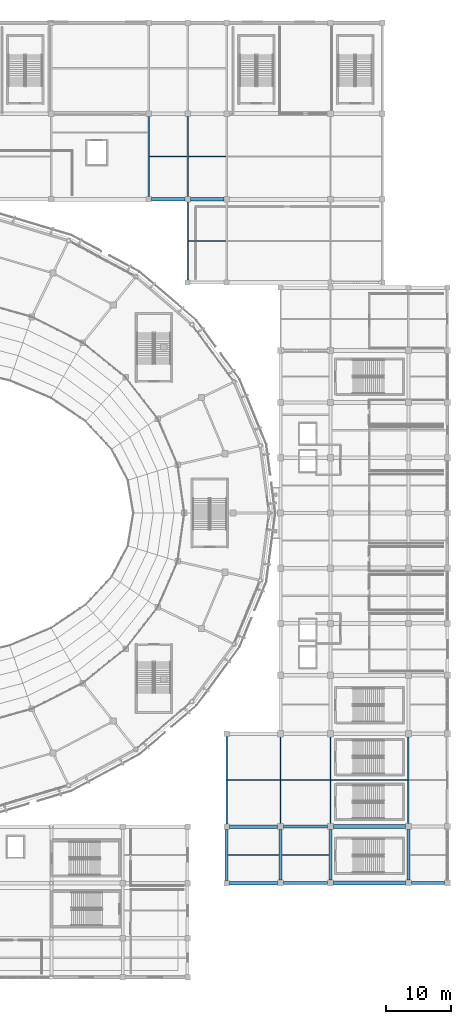
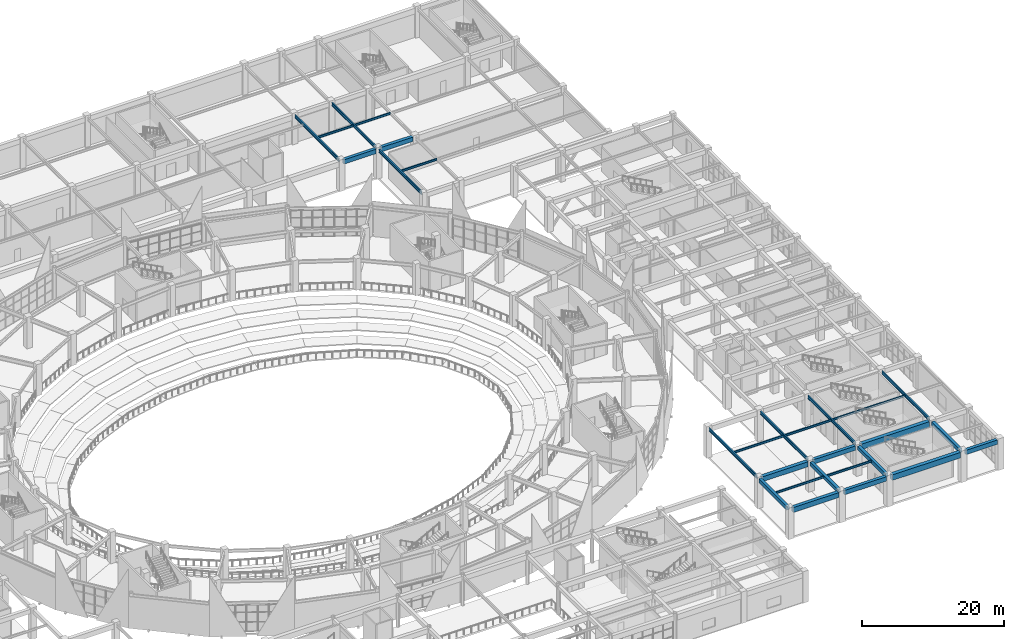
# One storey, part 46 of 120: 28 beams.
"""IFC4 building model written with IfcOpenShell, lengths in metres."""

from ifc_helpers import new_model, si_unit, direction, frame, origin, origin_2d, place, context, subcontext, project, spatial, rectangle, i_section, extrude, material, material_profile, profile_set, type_object, element, save


model = new_model("IFC4")

# Units and contexts
model_context = context("Model", 3, precision=1e-05, world=origin(), true_north=direction((0.0, 1.0)))
body_context = subcontext(model_context, "Body", "Model", "MODEL_VIEW")
ifc_project = project(units=[si_unit("LENGTHUNIT", "METRE"), si_unit("AREAUNIT", "SQUARE_METRE"), si_unit("VOLUMEUNIT", "CUBIC_METRE"), si_unit("PLANEANGLEUNIT", "RADIAN"), si_unit("MASSUNIT", "GRAM", prefix="KILO")], contexts=[model_context])

# Site, building, storey
site_placement = place(None, origin())
site = spatial("IfcSite", under=ifc_project, at=site_placement, CompositionType="ELEMENT")
building_placement = place(site_placement, origin())
building = spatial("IfcBuilding", under=site, at=building_placement, Name="Cuetzalor Civic Arena", CompositionType="ELEMENT")
storey_placement = place(building_placement, frame((0.0, 0.0, 6.0)))
storey = spatial("IfcBuildingStorey", under=building, at=storey_placement, Name="L01", CompositionType="ELEMENT", Elevation=6.0)

# Beams
ifc_material_1 = material(Name="Concrete C40/50", Category="concrete")
ifc_material_profile_1 = material_profile(ifc_material_1, rectangle(XDim=0.5, YDim=0.75, at=origin_2d()), Name="RC 500x750")
ifc_profile_set_1 = profile_set([ifc_material_profile_1], Name="Concrete C40/50")
beam_type_1 = type_object("IfcBeamType", Name="ConcreteFrameBeam_500x750", PredefinedType="BEAM", material=ifc_profile_set_1)
beam_1_placement = place(storey_placement, frame((56.764892578125, -57.0, 4.7451171875), z_axis=(1.0, 0.0, 0.0), x_axis=(0.0, 1.0, 0.0)))
element("IfcBeam", 1, at=beam_1_placement, inside=storey, type_object=beam_type_1, Name="Frame Girder V4E-L01-X0424", PredefinedType="BEAM", context=body_context, shape_type="SweptSolid", body=[
    extrude(rectangle(XDim=0.5, YDim=0.75, at=origin_2d()), origin(), (0.0, 0.0, 1.0), 6.77001953125),
])
beam_2_placement = place(storey_placement, frame((76.465087890625, -57.0, 4.7451171875), z_axis=(1.0, 0.0, 0.0), x_axis=(0.0, 1.0, 0.0)))
element("IfcBeam", 2, at=beam_2_placement, inside=storey, type_object=beam_type_1, Name="Frame Girder V4E-L01-X0426", PredefinedType="BEAM", context=body_context, shape_type="SweptSolid", body=[
    extrude(rectangle(XDim=0.5, YDim=0.75, at=origin_2d()), origin(), (0.0, 0.0, 1.0), 5.06982421875),
])
beam_3_placement = place(storey_placement, frame((56.764892578125, -48.300048828125, 4.7451171875), z_axis=(1.0, 0.0, 0.0), x_axis=(0.0, 1.0, 0.0)))
element("IfcBeam", 3, at=beam_3_placement, inside=storey, type_object=beam_type_1, Name="Frame Girder V4E-L01-X0428", PredefinedType="BEAM", context=body_context, shape_type="SweptSolid", body=[
    extrude(rectangle(XDim=0.5, YDim=0.75, at=origin_2d()), origin(), (0.0, 0.0, 1.0), 6.77001953125),
])
for number, where, z_axis, x_axis, name in (
    (4, (36.4150390625, 48.300048828125, 4.705078125), (1.0, 0.0, 0.0), (0.0, 1.0, 0.0), "Frame Girder V5-L01-X0517"),
    (5, (42.4150390625, 48.300048828125, 4.705078125), (1.0, 0.0, 0.0), (0.0, 1.0, 0.0), "Frame Girder V5-L01-X0518"),
):
    element("IfcBeam", number, at=place(storey_placement, frame(where, z_axis=z_axis, x_axis=x_axis)), inside=storey, type_object=beam_type_1, Name=name, PredefinedType="BEAM", context=body_context, shape_type="SweptSolid", body=[
        extrude(rectangle(XDim=0.5, YDim=0.75, at=origin_2d()), origin(), (0.0, 0.0, 1.0), 5.169921875),
    ])
ifc_material_2 = material(Name="Concrete C40/50", Category="concrete")
ifc_material_profile_2 = material_profile(ifc_material_2, rectangle(XDim=0.550048828125, YDim=0.85009765625, at=origin_2d()), Name="RC 550x850")
ifc_profile_set_2 = profile_set([ifc_material_profile_2], Name="Concrete C40/50")
beam_type_2 = type_object("IfcBeamType", Name="ConcreteFrameBeam_550x850", PredefinedType="BEAM", material=ifc_profile_set_2)
for number, where, z_axis, x_axis, name in (
    (6, (48.4150390625, -57.0, 4.695068359375), (1.0, 0.0, 0.0), (0.0, 1.0, 0.0), "Frame Girder V4E-L01-X0423"),
    (7, (48.4150390625, -48.300048828125, 4.695068359375), (1.0, 0.0, 0.0), (0.0, 1.0, 0.0), "Frame Girder V4E-L01-X0427"),
):
    element("IfcBeam", number, at=place(storey_placement, frame(where, z_axis=z_axis, x_axis=x_axis)), inside=storey, type_object=beam_type_2, Name=name, PredefinedType="BEAM", context=body_context, shape_type="SweptSolid", body=[
        extrude(rectangle(XDim=0.550048828125, YDim=0.85009765625, at=origin_2d()), origin(), (0.0, 0.0, 1.0), 7.419921875),
    ])
ifc_material_3 = material(Name="Concrete C40/50", Category="concrete")
ifc_material_profile_3 = material_profile(ifc_material_3, rectangle(XDim=0.60009765625, YDim=0.949951171875, at=origin_2d()), Name="RC 600x950")
ifc_profile_set_3 = profile_set([ifc_material_profile_3], Name="Concrete C40/50")
beam_type_3 = type_object("IfcBeamType", Name="ConcreteFrameBeam_600x950", PredefinedType="BEAM", material=ifc_profile_set_3)
for number, where, z_axis, x_axis, name in (
    (8, (64.465087890625, -57.0, 4.64501953125), (1.0, 0.0, 0.0), (0.0, 1.0, 0.0), "Frame Girder V4E-L01-X0425"),
    (9, (64.465087890625, -48.300048828125, 4.64501953125), (1.0, 0.0, 0.0), (0.0, 1.0, 0.0), "Frame Girder V4E-L01-X0429"),
):
    element("IfcBeam", number, at=place(storey_placement, frame(where, z_axis=z_axis, x_axis=x_axis)), inside=storey, type_object=beam_type_3, Name=name, PredefinedType="BEAM", context=body_context, shape_type="SweptSolid", body=[
        extrude(rectangle(XDim=0.60009765625, YDim=0.949951171875, at=origin_2d()), origin(), (0.0, 0.0, 1.0), 11.06982421875),
    ])
ifc_material_4 = material(Name="Concrete C40/50", Category="concrete")
ifc_material_profile_4 = material_profile(ifc_material_4, rectangle(XDim=0.449951171875, YDim=0.64990234375, at=origin_2d()), Name="RC 450x650")
ifc_profile_set_4 = profile_set([ifc_material_profile_4], Name="Concrete C40/50")
beam_type_4 = type_object("IfcBeamType", Name="ConcreteTieBeam_450x650", PredefinedType="BEAM", material=ifc_profile_set_4)
beam_4_placement = place(storey_placement, frame((48.0, -56.5849609375, 4.794921875), z_axis=(0.0, 1.0, 0.0), x_axis=(-1.0, 0.0, 0.0)))
element("IfcBeam", 10, at=beam_4_placement, inside=storey, type_object=beam_type_4, Name="Frame Girder V4E-L01-Y0459", PredefinedType="BEAM", context=body_context, shape_type="SweptSolid", body=[
    extrude(rectangle(XDim=0.449951171875, YDim=0.64990234375, at=origin_2d()), origin(), (0.0, 0.0, 1.0), 7.869873046875),
])
for number, where, z_axis, x_axis, name in (
    (11, (56.300048828125, -56.534912109375, 4.794921875), (0.0, 1.0, 0.0), (-1.0, 0.0, 0.0), "Frame Girder V4E-L01-Y0461"),
    (12, (64.0, -56.534912109375, 4.794921875), (0.0, 1.0, 0.0), (-1.0, 0.0, 0.0), "Frame Girder V4E-L01-Y0471"),
    (13, (76.0, -56.534912109375, 4.794921875), (0.0, 1.0, 0.0), (-1.0, 0.0, 0.0), "Frame Girder V4E-L01-Y0481"),
):
    element("IfcBeam", number, at=place(storey_placement, frame(where, z_axis=z_axis, x_axis=x_axis)), inside=storey, type_object=beam_type_4, Name=name, PredefinedType="BEAM", context=body_context, shape_type="SweptSolid", body=[
        extrude(rectangle(XDim=0.449951171875, YDim=0.64990234375, at=origin_2d()), origin(), (0.0, 0.0, 1.0), 7.77001953125),
    ])
ifc_material_5 = material(Name="Steel S355", Category="steel")
ifc_material_profile_5 = material_profile(ifc_material_5, i_section(OverallWidth=0.1708984375, OverallDepth=0.35498046875, WebThickness=0.007080078125, FlangeThickness=0.01171875, at=origin_2d()), Name="W360x51")
ifc_profile_set_5 = profile_set([ifc_material_profile_5], Name="Steel S355")
beam_type_5 = type_object("IfcBeamType", Name="SecondaryFloorJoist_W360", PredefinedType="JOIST", material=ifc_profile_set_5)
beam_5_placement = place(storey_placement, frame((48.217041015625, -52.64990234375, 4.9423828125), z_axis=(1.0, 0.0, 0.0), x_axis=(0.0, 1.0, 0.0)))
element("IfcBeam", 14, at=beam_5_placement, inside=storey, type_object=beam_type_5, Name="Secondary Floor Joist V4E-L01-0133", PredefinedType="JOIST", context=body_context, shape_type="SweptSolid", body=[
    extrude(i_section(OverallWidth=0.1708984375, OverallDepth=0.35498046875, WebThickness=0.007080078125, FlangeThickness=0.01171875, at=origin_2d()), origin(), (0.0, 0.0, 1.0), 7.865966796875),
])
beam_6_placement = place(storey_placement, frame((48.096435546875, -41.14990234375, 4.9423828125), z_axis=(1.0, 0.0, 0.0), x_axis=(0.0, 1.0, 0.0)))
element("IfcBeam", 15, at=beam_6_placement, inside=storey, type_object=beam_type_5, Name="Secondary Floor Joist V4E-L01-0134", PredefinedType="JOIST", context=body_context, shape_type="SweptSolid", body=[
    extrude(i_section(OverallWidth=0.1708984375, OverallDepth=0.35498046875, WebThickness=0.007080078125, FlangeThickness=0.01171875, at=origin_2d()), origin(), (0.0, 0.0, 1.0), 8.107177734375),
])
beam_7_placement = place(storey_placement, frame((56.51708984375, -52.64990234375, 4.9423828125), z_axis=(1.0, 0.0, 0.0), x_axis=(0.0, 1.0, 0.0)))
element("IfcBeam", 16, at=beam_7_placement, inside=storey, type_object=beam_type_5, Name="Secondary Floor Joist V4E-L01-0135", PredefinedType="JOIST", context=body_context, shape_type="SweptSolid", body=[
    extrude(i_section(OverallWidth=0.1708984375, OverallDepth=0.35498046875, WebThickness=0.007080078125, FlangeThickness=0.01171875, at=origin_2d()), origin(), (0.0, 0.0, 1.0), 7.265869140625),
])
beam_8_placement = place(storey_placement, frame((56.396484375, -41.14990234375, 4.9423828125), z_axis=(1.0, 0.0, 0.0), x_axis=(0.0, 1.0, 0.0)))
element("IfcBeam", 17, at=beam_8_placement, inside=storey, type_object=beam_type_5, Name="Secondary Floor Joist V4E-L01-0136", PredefinedType="JOIST", context=body_context, shape_type="SweptSolid", body=[
    extrude(i_section(OverallWidth=0.1708984375, OverallDepth=0.35498046875, WebThickness=0.007080078125, FlangeThickness=0.01171875, at=origin_2d()), origin(), (0.0, 0.0, 1.0), 7.507080078125),
])
beam_9_placement = place(storey_placement, frame((64.096435546875, -41.14990234375, 4.9423828125), z_axis=(1.0, 0.0, 0.0), x_axis=(0.0, 1.0, 0.0)))
element("IfcBeam", 18, at=beam_9_placement, inside=storey, type_object=beam_type_5, Name="Secondary Floor Joist V4E-L01-0144", PredefinedType="JOIST", context=body_context, shape_type="SweptSolid", body=[
    extrude(i_section(OverallWidth=0.1708984375, OverallDepth=0.35498046875, WebThickness=0.007080078125, FlangeThickness=0.01171875, at=origin_2d()), origin(), (0.0, 0.0, 1.0), 11.80712890625),
])
for number, where, z_axis, x_axis, name in (
    (19, (36.096435546875, 54.89990234375, 4.902587890625), (1.0, 0.0, 0.0), (0.0, 1.0, 0.0), "Secondary Floor Joist V5-L01-0172"),
    (20, (42.096435546875, 41.89990234375, 4.902587890625), (1.0, 0.0, 0.0), (0.0, 1.0, 0.0), "Secondary Floor Joist V5-L01-0174"),
    (21, (42.096435546875, 54.89990234375, 4.902587890625), (1.0, 0.0, 0.0), (0.0, 1.0, 0.0), "Secondary Floor Joist V5-L01-0175"),
):
    element("IfcBeam", number, at=place(storey_placement, frame(where, z_axis=z_axis, x_axis=x_axis)), inside=storey, type_object=beam_type_5, Name=name, PredefinedType="JOIST", context=body_context, shape_type="SweptSolid", body=[
        extrude(i_section(OverallWidth=0.1708984375, OverallDepth=0.35498046875, WebThickness=0.007080078125, FlangeThickness=0.01171875, at=origin_2d()), origin(), (0.0, 0.0, 1.0), 5.80712890625),
    ])
ifc_material_6 = material(Name="Steel S355", Category="steel")
ifc_material_profile_6 = material_profile(ifc_material_6, i_section(OverallWidth=0.208984375, OverallDepth=0.532958984375, WebThickness=0.01025390625, FlangeThickness=0.015625, at=origin_2d()), Name="W530x92")
ifc_profile_set_6 = profile_set([ifc_material_profile_6], Name="Steel S355")
beam_type_6 = type_object("IfcBeamType", Name="SteelCollarGirder_W530", PredefinedType="BEAM", material=ifc_profile_set_6)
beam_10_placement = place(storey_placement, frame((48.0, -47.885009765625, 4.853515625), z_axis=(0.0, 1.0, 0.0), x_axis=(-1.0, 0.0, 0.0)))
element("IfcBeam", 22, at=beam_10_placement, inside=storey, type_object=beam_type_6, Name="Frame Girder V4E-L01-Y0460", PredefinedType="BEAM", context=body_context, shape_type="SweptSolid", body=[
    extrude(i_section(OverallWidth=0.208984375, OverallDepth=0.532958984375, WebThickness=0.01025390625, FlangeThickness=0.015625, at=origin_2d()), origin(), (0.0, 0.0, 1.0), 13.469970703125),
])
for number, where, z_axis, x_axis, name in (
    (23, (56.300048828125, -47.8349609375, 4.853515625), (0.0, 1.0, 0.0), (-1.0, 0.0, 0.0), "Frame Girder V4E-L01-Y0462"),
    (24, (64.0, -47.8349609375, 4.853515625), (0.0, 1.0, 0.0), (-1.0, 0.0, 0.0), "Frame Girder V4E-L01-Y0472"),
    (25, (76.0, -47.8349609375, 4.853515625), (0.0, 1.0, 0.0), (-1.0, 0.0, 0.0), "Frame Girder V4E-L01-Y0482"),
):
    element("IfcBeam", number, at=place(storey_placement, frame(where, z_axis=z_axis, x_axis=x_axis)), inside=storey, type_object=beam_type_6, Name=name, PredefinedType="BEAM", context=body_context, shape_type="SweptSolid", body=[
        extrude(i_section(OverallWidth=0.208984375, OverallDepth=0.532958984375, WebThickness=0.01025390625, FlangeThickness=0.015625, at=origin_2d()), origin(), (0.0, 0.0, 1.0), 13.369873046875),
    ])
beam_11_placement = place(storey_placement, frame((36.0, 48.715087890625, 4.8134765625), z_axis=(0.0, 1.0, 0.0), x_axis=(-1.0, 0.0, 0.0)))
element("IfcBeam", 26, at=beam_11_placement, inside=storey, type_object=beam_type_6, Name="Frame Girder V5-L01-Y0563", PredefinedType="BEAM", context=body_context, shape_type="SweptSolid", body=[
    extrude(i_section(OverallWidth=0.208984375, OverallDepth=0.532958984375, WebThickness=0.01025390625, FlangeThickness=0.015625, at=origin_2d()), origin(), (0.0, 0.0, 1.0), 12.369873046875),
])
beam_12_placement = place(storey_placement, frame((42.0, 35.864990234375, 4.8134765625), z_axis=(0.0, 1.0, 0.0), x_axis=(-1.0, 0.0, 0.0)))
element("IfcBeam", 27, at=beam_12_placement, inside=storey, type_object=beam_type_6, Name="Frame Girder V5-L01-Y0565", PredefinedType="BEAM", context=body_context, shape_type="SweptSolid", body=[
    extrude(i_section(OverallWidth=0.208984375, OverallDepth=0.532958984375, WebThickness=0.01025390625, FlangeThickness=0.015625, at=origin_2d()), origin(), (0.0, 0.0, 1.0), 12.02001953125),
])
beam_13_placement = place(storey_placement, frame((42.0, 48.715087890625, 4.8134765625), z_axis=(0.0, 1.0, 0.0), x_axis=(-1.0, 0.0, 0.0)))
element("IfcBeam", 28, at=beam_13_placement, inside=storey, type_object=beam_type_6, Name="Frame Girder V5-L01-Y0566", PredefinedType="BEAM", context=body_context, shape_type="SweptSolid", body=[
    extrude(i_section(OverallWidth=0.208984375, OverallDepth=0.532958984375, WebThickness=0.01025390625, FlangeThickness=0.015625, at=origin_2d()), origin(), (0.0, 0.0, 1.0), 12.369873046875),
])

save(model, "model.ifc")
